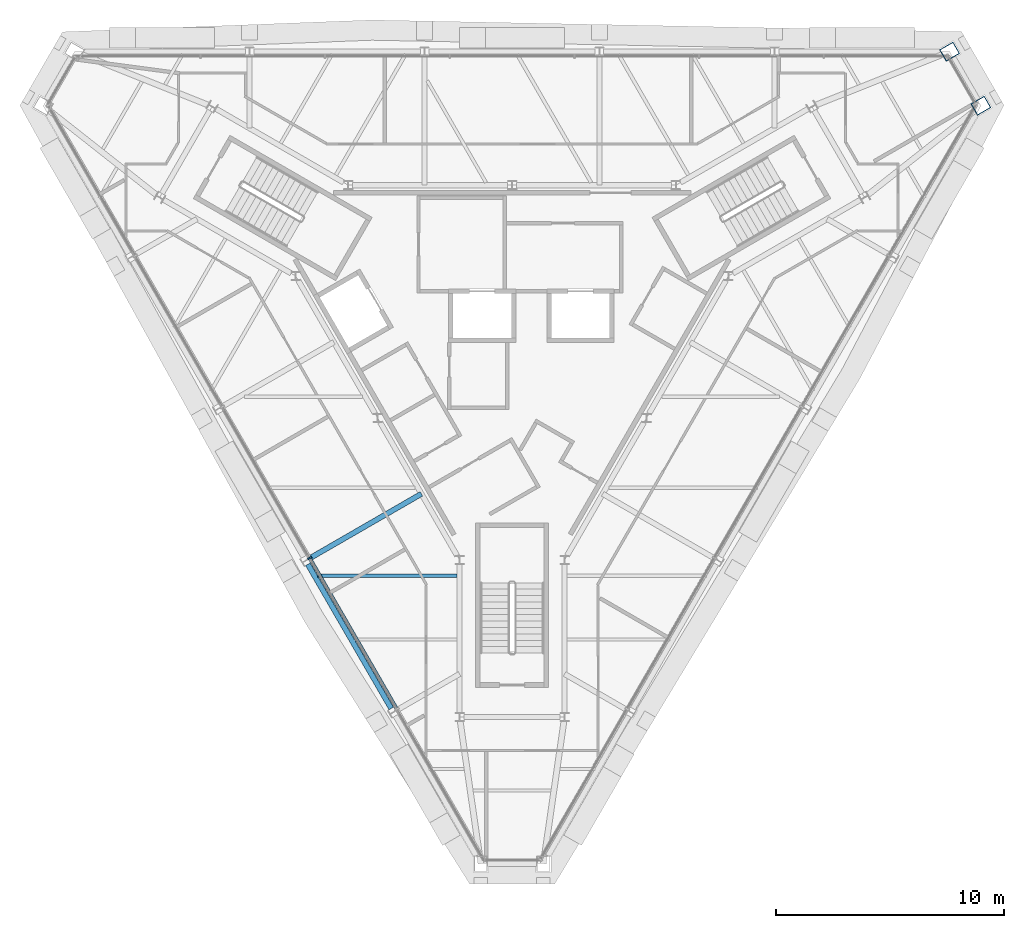
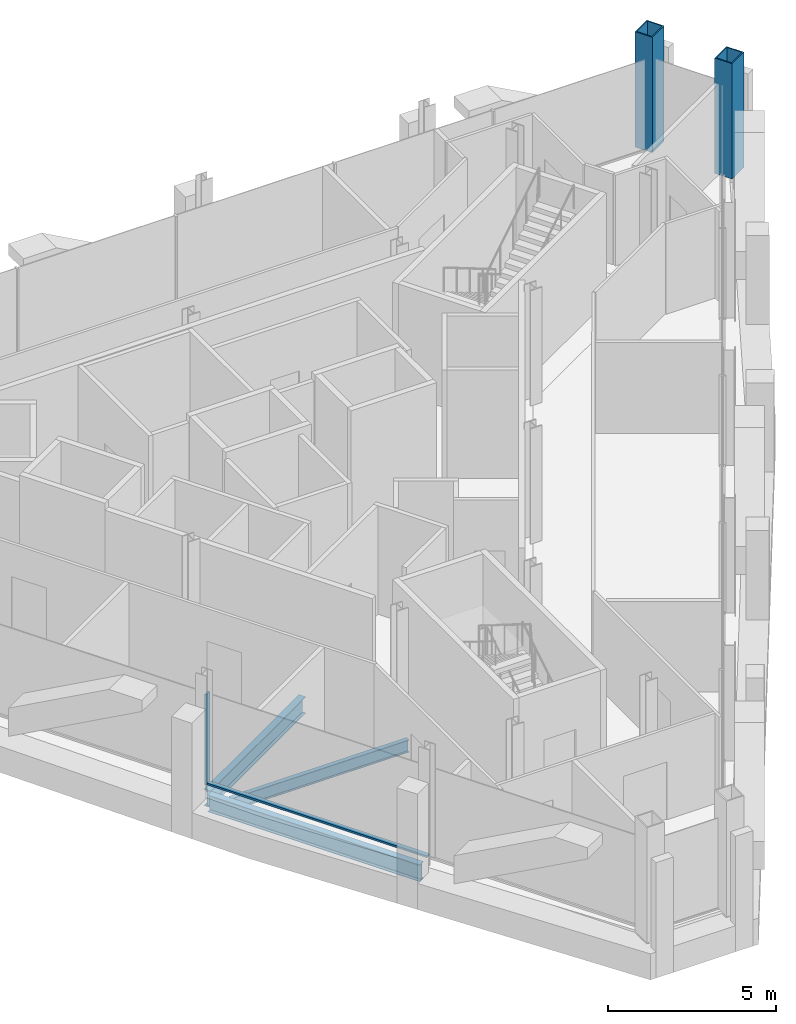
# One storey, part 2 of 13: 3 beams, 2 columns, 2 members, 1 element without a shape of its own.
"""IFC4 building model written with IfcOpenShell, lengths in metres."""

from ifc_helpers import new_model, si_unit, direction, frame, origin, origin_2d, place, context, subcontext, project, spatial, rectangle, hollow_rectangle, i_section, extrude, material, material_profile, profile_set, type_object, element, aggregate, save


model = new_model("IFC4")

# Units and contexts
model_context = context("Model", 3, precision=1e-05, world=origin(), true_north=direction((0.0, 1.0)))
body_context = subcontext(model_context, "Body", "Model", "MODEL_VIEW")
ifc_project = project(units=[si_unit("LENGTHUNIT", "METRE"), si_unit("AREAUNIT", "SQUARE_METRE"), si_unit("VOLUMEUNIT", "CUBIC_METRE"), si_unit("PLANEANGLEUNIT", "RADIAN"), si_unit("MASSUNIT", "GRAM", prefix="KILO")], contexts=[model_context])

# Site, building, storey
site_placement = place(None, origin())
site = spatial("IfcSite", under=ifc_project, at=site_placement, CompositionType="ELEMENT")
building_placement = place(site_placement, origin())
building = spatial("IfcBuilding", under=site, at=building_placement, Name="Verrane Prism Tower", CompositionType="ELEMENT")
storey_placement = place(building_placement, frame((0.0, 0.0, 325.199951171875)))
storey = spatial("IfcBuildingStorey", under=building, at=storey_placement, Name="L82", CompositionType="ELEMENT", Elevation=325.199951171875)

# Columns
ifc_material_1 = material(Name="Steel A572 Grade 50", Category="steel")
ifc_material_profile_1 = material_profile(ifc_material_1, hollow_rectangle(XDim=0.60009765625, YDim=0.699951171875, WallThickness=0.0400390625, at=origin_2d()), Name="BOX 700x600x40")
ifc_profile_set_1 = profile_set([ifc_material_profile_1], Name="Steel A572 Grade 50")
column_type = type_object("IfcColumnType", Name="Megacolumn BOX 700x600x40", PredefinedType="COLUMN", material=ifc_profile_set_1)
for number, where, z_axis, x_axis, name in (
    (1, (19.169921875, 12.64990234375, 0.0), (0.0, 0.0, 1.0), (0.5, -0.866025403784, 0.0), "Megacolumn MC-NE.b L82"),
    (2, (20.5400390625, 10.280029296875, 0.0), (0.0, 0.0, 1.0), (0.5, -0.866025403784, 0.0), "Megacolumn MC-NE.a L82"),
):
    element("IfcColumn", number, at=place(storey_placement, frame(where, z_axis=z_axis, x_axis=x_axis)), inside=storey, type_object=column_type, Name=name, PredefinedType="COLUMN", context=body_context, shape_type="SweptSolid", body=[
        extrude(hollow_rectangle(XDim=0.60009765625, YDim=0.699951171875, WallThickness=0.0400390625, at=origin_2d()), origin(), (0.0, 0.0, 1.0), 4.199951171875),
    ])

# Beam
ifc_material_2 = material(Name="Steel A992", Category="steel")
ifc_material_profile_2 = material_profile(ifc_material_2, i_section(OverallWidth=0.15234375, OverallDepth=0.449462890625, WebThickness=0.007568359375, FlangeThickness=0.0107421875, FilletRadius=0.01025390625, at=origin_2d()), Name="W18x35")
ifc_profile_set_2 = profile_set([ifc_material_profile_2], Name="Steel A992")
beam_type_1 = type_object("IfcBeamType", Name="Floor beam W18x35", PredefinedType="BEAM", material=ifc_profile_set_2)
beam_1_placement = place(storey_placement, frame((-8.526611328125, -10.31005859375, -0.384765625), z_axis=(1.0, 0.0, 0.0), x_axis=(0.0, 1.0, 0.0)))
element("IfcBeam", 3, at=beam_1_placement, inside=storey, type_object=beam_type_1, Name="Floor beam L82", PredefinedType="BEAM", context=body_context, shape_type="SweptSolid", body=[
    extrude(i_section(OverallWidth=0.15234375, OverallDepth=0.449462890625, WebThickness=0.007568359375, FlangeThickness=0.0107421875, FilletRadius=0.01025390625, at=origin_2d()), origin(), (0.0, 0.0, 1.0), 6.112548828125),
])

# Curtain wall, member
ifc_material_3 = material(Name="Aluminium framed insulated glazing", Category="aluminium")
curtain_wall_type = type_object("IfcCurtainWallType", Name="Curtain wall CW-A 8400 module", PredefinedType="NOTDEFINED", material=ifc_material_3)
curtain_wall_placement = place(storey_placement, origin())
curtain_wall = element("IfcCurtainWall", 4, at=curtain_wall_placement, inside=storey, type_object=curtain_wall_type, Name="Glazed curtain wall south-west face L82", PredefinedType="NOTDEFINED")
ifc_material_4 = material(Name="Aluminium alloy 6063-T6", Category="aluminium")
ifc_material_profile_3 = material_profile(ifc_material_4, rectangle(XDim=0.199951171875, YDim=0.070068359375, at=origin_2d()), Name="Mullion 70x200 aluminium")
ifc_profile_set_3 = profile_set([ifc_material_profile_3], Name="Aluminium alloy 6063-T6")
member_type_1 = type_object("IfcMemberType", Name="Mullion 70x200 aluminium", PredefinedType="MULLION", material=ifc_profile_set_3)
member_1_placement = place(storey_placement, frame((-8.8681640625, -9.5341796875, 0.0), z_axis=(0.0, 0.0, 1.0), x_axis=(0.866025278644, 0.500000216749, 0.0)))
member_1 = element("IfcMember", 5, at=member_1_placement, type_object=member_type_1, Name="CW82.4 mullion 4", PredefinedType="MULLION", context=body_context, shape_type="SweptSolid", body=[
    extrude(rectangle(XDim=0.199951171875, YDim=0.070068359375, at=origin_2d()), origin(), (0.0, 0.0, 1.0), 3.296630859375),
])

# Beams
ifc_material_5 = material(Name="Steel A992", Category="steel")
ifc_material_profile_4 = material_profile(ifc_material_5, i_section(OverallWidth=0.228271484375, OverallDepth=0.607177734375, WebThickness=0.01123046875, FlangeThickness=0.017333984375, FilletRadius=0.0126953125, at=origin_2d()), Name="W24x76")
ifc_profile_set_4 = profile_set([ifc_material_profile_4], Name="Steel A992")
beam_type_2 = type_object("IfcBeamType", Name="Radial girder W24x76", PredefinedType="BEAM", material=ifc_profile_set_4)
beam_2_placement = place(storey_placement, frame((-8.880615234375, -9.557861328125, -0.5234375), z_axis=(0.866039985572, 0.499974742752, 0.0), x_axis=(-0.499974742752, 0.866039985572, 0.0)))
element("IfcBeam", 6, at=beam_2_placement, inside=storey, type_object=beam_type_2, Name="Radial girder L82", PredefinedType="BEAM", context=body_context, shape_type="SweptSolid", body=[
    extrude(i_section(OverallWidth=0.228271484375, OverallDepth=0.607177734375, WebThickness=0.01123046875, FlangeThickness=0.017333984375, FilletRadius=0.0126953125, at=origin_2d()), origin(), (0.0, 0.0, 1.0), 5.668212890625),
])
ifc_material_6 = material(Name="Steel A992", Category="steel")
ifc_material_profile_5 = material_profile(ifc_material_6, i_section(OverallWidth=0.228271484375, OverallDepth=0.607177734375, WebThickness=0.01123046875, FlangeThickness=0.017333984375, FilletRadius=0.0126953125, at=origin_2d()), Name="W24x76")
ifc_profile_set_5 = profile_set([ifc_material_profile_5], Name="Steel A992")
beam_type_3 = type_object("IfcBeamType", Name="Spandrel beam W24x76", PredefinedType="SPANDREL", material=ifc_profile_set_5)
beam_3_placement = place(storey_placement, frame((-8.946533203125, -9.8115234375, -0.46337890625), z_axis=(0.50061813753, -0.865668227658, 0.0), x_axis=(0.865668227658, 0.50061813753, 0.0)))
element("IfcBeam", 7, at=beam_3_placement, inside=storey, type_object=beam_type_3, Name="Spandrel beam L82", PredefinedType="SPANDREL", context=body_context, shape_type="SweptSolid", body=[
    extrude(i_section(OverallWidth=0.228271484375, OverallDepth=0.607177734375, WebThickness=0.01123046875, FlangeThickness=0.017333984375, FilletRadius=0.0126953125, at=origin_2d()), origin(), (0.0, 0.0, 1.0), 7.297119140625),
])

# Member
ifc_material_7 = material(Name="Aluminium alloy 6063-T6", Category="aluminium")
ifc_material_profile_6 = material_profile(ifc_material_7, rectangle(XDim=0.14990234375, YDim=0.070068359375, at=origin_2d()), Name="Transom 70x150 aluminium")
ifc_profile_set_6 = profile_set([ifc_material_profile_6], Name="Aluminium alloy 6063-T6")
member_type_2 = type_object("IfcMemberType", Name="Transom 70x150 aluminium", PredefinedType="USERDEFINED", material=ifc_profile_set_6)
member_2_placement = place(storey_placement, frame((-8.8505859375, -9.564453125, 0.03515625), z_axis=(0.499972595749, -0.866041225058, 0.0), x_axis=(0.866041225058, 0.499972595749, 0.0)))
member_2 = element("IfcMember", 8, at=member_2_placement, type_object=member_type_2, Name="CW82.4 transom 4", ObjectType="TRANSOM", PredefinedType="USERDEFINED", context=body_context, shape_type="SweptSolid", body=[
    extrude(rectangle(XDim=0.14990234375, YDim=0.070068359375, at=origin_2d()), origin(), (0.0, 0.0, 1.0), 7.57568359375),
])

aggregate(curtain_wall, [member_1, member_2])

save(model, "model.ifc")
